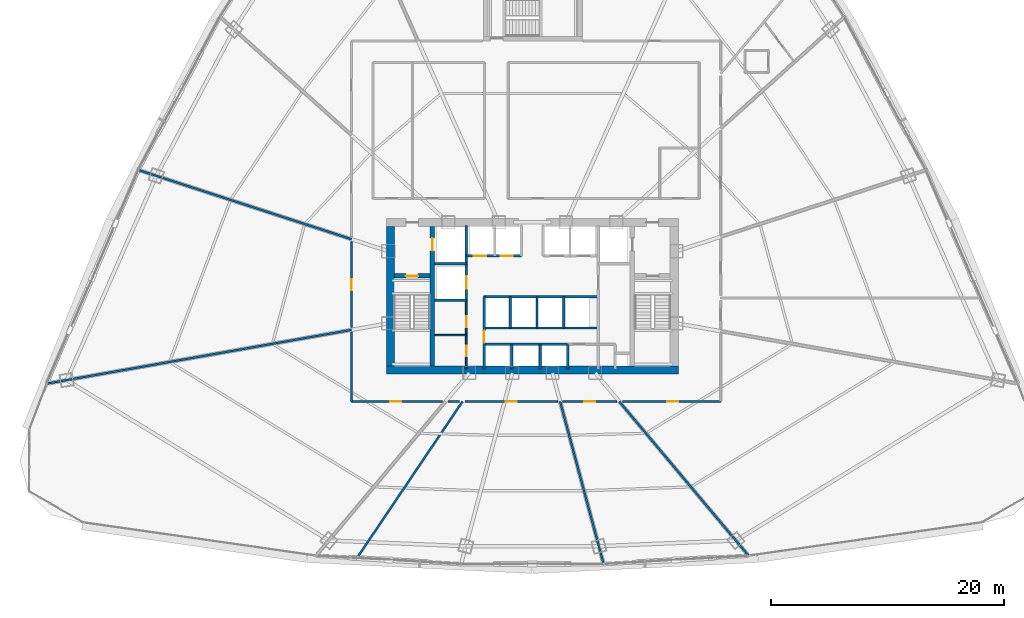
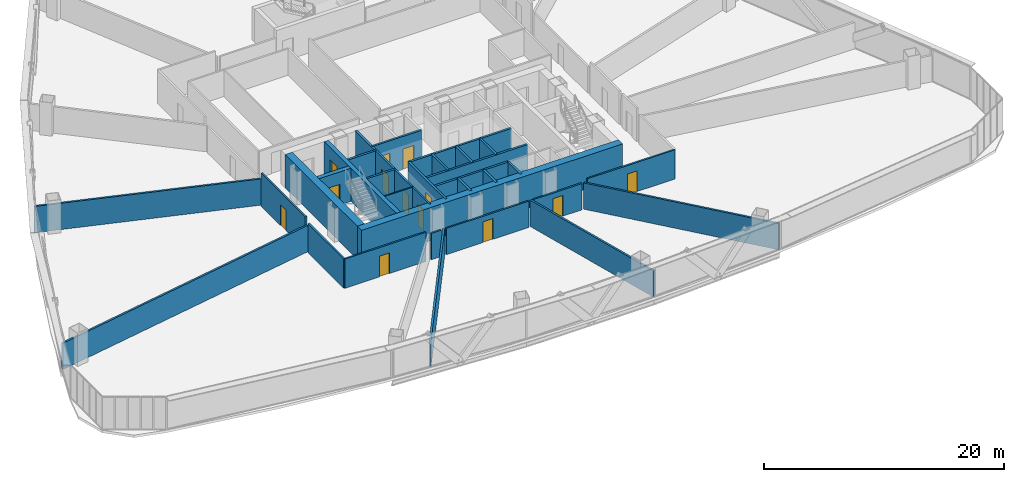
# One storey, part 35 of 42: 32 walls, 13 doors, 13 openings.
"""IFC4 building model written with IfcOpenShell, lengths in metres."""

from ifc_helpers import new_model, si_unit, direction, frame, frame_2d, origin, origin_with_axes, place, context, subcontext, project, spatial, rectangle, extrude, source, transform, mapped, material, layer, layer_set, type_object, element, fill, save


model = new_model("IFC4")

# Units and contexts
model_context = context("Model", 3, precision=1e-05, world=origin(), true_north=direction((0.0, 1.0)))
body_context = subcontext(model_context, "Body", "Model", "MODEL_VIEW")
ifc_project = project(units=[si_unit("LENGTHUNIT", "METRE"), si_unit("AREAUNIT", "SQUARE_METRE"), si_unit("VOLUMEUNIT", "CUBIC_METRE"), si_unit("PLANEANGLEUNIT", "RADIAN"), si_unit("MASSUNIT", "GRAM", prefix="KILO"), si_unit("THERMODYNAMICTEMPERATUREUNIT", "KELVIN"), si_unit("POWERUNIT", "WATT")], contexts=[model_context])

# Site, building, storey
site_placement = place(None, origin())
site = spatial("IfcSite", under=ifc_project, at=site_placement, CompositionType="ELEMENT")
building_placement = place(site_placement, origin())
building = spatial("IfcBuilding", under=site, at=building_placement, Name="Yunzhuo Pagoda Commons", CompositionType="ELEMENT")
storey_placement = place(building_placement, frame((0.0, 0.0, 41.2900390625)))
storey = spatial("IfcBuildingStorey", under=building, at=storey_placement, Name="L10", CompositionType="ELEMENT", Elevation=41.2900390625)

# Walls
ifc_material_1 = material(Name="Concrete C60", Category="concrete")
ifc_layer_1 = layer(ifc_material_1, 0.699951171875)
ifc_layer_set_1 = layer_set([ifc_layer_1], Name="Concrete C60")
wall_type_1 = type_object("IfcWallType", Name="W-C01 Lower Core Shear Wall 700", PredefinedType="SHEAR", material=ifc_layer_set_1)
wall_1_placement = place(storey_placement, frame((35.449951171875, 27.5, 0.0), z_axis=(0.0, 0.0, 1.0), x_axis=(1.0, 0.0, 0.0)))
element("IfcWall", 1, at=wall_1_placement, inside=storey, type_object=wall_type_1, Name="L10 core shear wall S", PredefinedType="SHEAR", context=body_context, shape_type="SweptSolid", body=[
    extrude(rectangle(XDim=25.10009765625, YDim=0.699951171875, at=frame_2d((12.550048828125, 0.0))), origin(), (0.0, 0.0, 1.0), 3.369873046875),
])
wall_2_placement = place(storey_placement, frame((35.800048828125, 27.85009765625, 0.0), z_axis=(0.0, 0.0, 1.0), x_axis=(0.0, 1.0, 0.0)))
element("IfcWall", 2, at=wall_2_placement, inside=storey, type_object=wall_type_1, Name="L10 core shear wall W", PredefinedType="SHEAR", context=body_context, shape_type="SweptSolid", body=[
    extrude(rectangle(XDim=12.0, YDim=0.699951171875, at=frame_2d((6.0, 0.0))), origin(), (0.0, 0.0, 1.0), 3.369873046875),
])

# Wall, openings, doors
ifc_material_2 = material(Name="Gypsum plasterboard on acoustic stud")
ifc_layer_2 = layer(ifc_material_2, 0.159912109375)
ifc_layer_set_2 = layer_set([ifc_layer_2], Name="Gypsum plasterboard on acoustic stud")
wall_type_2 = type_object("IfcWallType", Name="W-COR1 Tower Rated Corridor Wall 160", PredefinedType="PARTITIONING", material=ifc_layer_set_2)
wall_3_placement = place(storey_placement, frame((42.320068359375, 27.60009765625, 0.0), z_axis=(0.0, 0.0, 1.0), x_axis=(0.0, 1.0, 0.0)))
wall_3 = element("IfcWall", 3, at=wall_3_placement, inside=storey, type_object=wall_type_2, Name="L10 interior wall IW-L10-CSWE", PredefinedType="PARTITIONING", context=body_context, shape_type="SweptSolid", body=[
    extrude(rectangle(XDim=5.89990234375, YDim=0.159912109375, at=frame_2d((2.949951171875, 0.0))), origin(), (0.0, 0.0, 1.0), 3.369873046875),
])
opening_1_placement = place(wall_3_placement, frame((1.10009765625, 0.0, 0.0)))
opening_1 = element("IfcOpeningElement", 4, at=opening_1_placement, cuts=wall_3, Name="Opening D-03", PredefinedType="OPENING", context=body_context, shape_type="SweptSolid", body=[
    extrude(rectangle(XDim=0.89990234375, YDim=2.10009765625, at=frame_2d((0.449951171875, 1.050048828125))), frame((0.0, 0.08984375, 0.0), z_axis=(0.0, -1.0, 0.0), x_axis=(1.0, 0.0, 0.0)), (0.0, 0.0, 1.0), 0.179931640625),
])
opening_2_placement = place(wall_3_placement, frame((3.60009765625, 0.0, 0.0)))
opening_2 = element("IfcOpeningElement", 5, at=opening_2_placement, cuts=wall_3, Name="Opening D-11", PredefinedType="OPENING", context=body_context, shape_type="SweptSolid", body=[
    extrude(rectangle(XDim=0.93994140625, YDim=2.10009765625, at=frame_2d((0.469970703125, 1.050048828125))), frame((0.0, 0.08984375, 0.0), z_axis=(0.0, -1.0, 0.0), x_axis=(1.0, 0.0, 0.0)), (0.0, 0.0, 1.0), 0.179931640625),
])
ifc_material_3 = material(Name="Galvanized fire-resisting metal leaf")
door_type_1 = type_object("IfcDoorType", Name="D-03 Core Service Fire Door 900x2100", OperationType="NOTDEFINED", PredefinedType="DOOR", material=ifc_material_3)
shared_shape_1 = source(origin(), body_context, "Body", "SweptSolid", [
    extrude(rectangle(XDim=0.89990234375, YDim=2.10009765625, at=frame_2d((0.449951171875, 1.050048828125))), frame((0.0, 0.02490234375, 0.0), z_axis=(0.0, -1.0, 0.0), x_axis=(1.0, 0.0, 0.0)), (0.0, 0.0, 1.0), 0.050048828125),
])
door_1_placement = place(opening_1_placement, origin_with_axes())
door_1 = element("IfcDoor", 6, at=door_1_placement, inside=storey, type_object=door_type_1, Name="L10 housekeeping door", OperationType="SINGLE_SWING_RIGHT", OverallHeight=2.10009765625, OverallWidth=0.89990234375, PredefinedType="DOOR", context=body_context, shape_type="MappedRepresentation", body=[
    mapped(shared_shape_1, transform((0.0, 0.0, 0.0), scale=1.0)),
])
fill(opening_1, door_1)
door_type_2 = type_object("IfcDoorType", Name="D-11 Accessible Washroom Fire Door 940x2100", OperationType="NOTDEFINED", PredefinedType="DOOR", material=ifc_material_3)
shared_shape_2 = source(origin(), body_context, "Body", "SweptSolid", [
    extrude(rectangle(XDim=0.93994140625, YDim=2.10009765625, at=frame_2d((0.469970703125, 1.050048828125))), frame((0.0, 0.02490234375, 0.0), z_axis=(0.0, -1.0, 0.0), x_axis=(1.0, 0.0, 0.0)), (0.0, 0.0, 1.0), 0.050048828125),
])
door_2_placement = place(opening_2_placement, origin_with_axes())
door_2 = element("IfcDoor", 7, at=door_2_placement, inside=storey, type_object=door_type_2, Name="L10 core WC door", OperationType="SINGLE_SWING_RIGHT", OverallHeight=2.10009765625, OverallWidth=0.93994140625, PredefinedType="DOOR", context=body_context, shape_type="MappedRepresentation", body=[
    mapped(shared_shape_2, transform((0.0, 0.0, 0.0), scale=1.0)),
])
fill(opening_2, door_2)

# Wall
wall_4_placement = place(storey_placement, frame((32.449951171875, 24.800048828125, 0.0), z_axis=(0.0, 0.0, 1.0), x_axis=(0.0, 1.0, 0.0)))
element("IfcWall", 8, at=wall_4_placement, inside=storey, type_object=wall_type_2, Name="L10 interior wall IW-L10-CWL01", PredefinedType="PARTITIONING", context=body_context, shape_type="SweptSolid", body=[
    extrude(rectangle(XDim=5.9345703125, YDim=0.159912109375, at=frame_2d((2.96728515625, 0.0))), origin(), (0.0, 0.0, 1.0), 2.969970703125),
])

# Wall, opening, door
wall_5_placement = place(storey_placement, frame((32.449951171875, 31.177978515625, 0.0), z_axis=(0.0, 0.0, 1.0), x_axis=(0.0, 1.0, 0.0)))
wall_5 = element("IfcWall", 9, at=wall_5_placement, inside=storey, type_object=wall_type_2, Name="L10 interior wall IW-L10-CWL02", PredefinedType="PARTITIONING", context=body_context, shape_type="SweptSolid", body=[
    extrude(rectangle(XDim=7.354736328125, YDim=0.159912109375, at=frame_2d((3.67724609375, 0.0))), origin(), (0.0, 0.0, 1.0), 3.369873046875),
])
opening_3_placement = place(wall_5_placement, frame((3.202392578125, 0.0, 0.0)))
opening_3 = element("IfcOpeningElement", 10, at=opening_3_placement, cuts=wall_5, Name="Opening D-06", PredefinedType="OPENING", context=body_context, shape_type="SweptSolid", body=[
    extrude(rectangle(XDim=0.949951171875, YDim=2.10009765625, at=frame_2d((0.47509765625, 1.050048828125))), frame((0.0, 0.08984375, 0.0), z_axis=(0.0, -1.0, 0.0), x_axis=(1.0, 0.0, 0.0)), (0.0, 0.0, 1.0), 0.179931640625),
])
door_type_3 = type_object("IfcDoorType", Name="D-06 Co-Living Suite Entrance Fire Door 950x2100", OperationType="NOTDEFINED", PredefinedType="DOOR", material=ifc_material_3)
shared_shape_3 = source(origin(), body_context, "Body", "SweptSolid", [
    extrude(rectangle(XDim=0.949951171875, YDim=2.10009765625, at=frame_2d((0.47509765625, 1.050048828125))), frame((0.0, 0.02490234375, 0.0), z_axis=(0.0, -1.0, 0.0), x_axis=(1.0, 0.0, 0.0)), (0.0, 0.0, 1.0), 0.050048828125),
])
door_3_placement = place(opening_3_placement, origin_with_axes())
door_3 = element("IfcDoor", 11, at=door_3_placement, inside=storey, type_object=door_type_3, Name="L10 unit 07 entrance door", OperationType="SINGLE_SWING_RIGHT", OverallHeight=2.10009765625, OverallWidth=0.949951171875, PredefinedType="DOOR", context=body_context, shape_type="MappedRepresentation", body=[
    mapped(shared_shape_3, transform((0.0, 0.0, 0.0), scale=1.0)),
])
fill(opening_3, door_3)

wall_6_placement = place(storey_placement, frame((64.199951171875, 24.800048828125, 0.0), z_axis=(0.0, 0.0, 1.0), x_axis=(-1.0, 0.0, 0.0)))
wall_6 = element("IfcWall", 12, at=wall_6_placement, inside=storey, type_object=wall_type_2, Name="L10 interior wall IW-L10-CWL14", PredefinedType="PARTITIONING", context=body_context, shape_type="SweptSolid", body=[
    extrude(rectangle(XDim=8.44482421875, YDim=0.159912109375, at=frame_2d((4.222412109375, 0.0))), origin(), (0.0, 0.0, 1.0), 2.969970703125),
])
opening_4_placement = place(wall_6_placement, frame((3.660888671875, 0.0, 0.0)))
opening_4 = element("IfcOpeningElement", 13, at=opening_4_placement, cuts=wall_6, Name="Opening D-06", PredefinedType="OPENING", context=body_context, shape_type="SweptSolid", body=[
    extrude(rectangle(XDim=0.949951171875, YDim=2.10009765625, at=frame_2d((0.47509765625, 1.050048828125))), frame((0.0, 0.08984375, 0.0), z_axis=(0.0, -1.0, 0.0), x_axis=(1.0, 0.0, 0.0)), (0.0, 0.0, 1.0), 0.179931640625),
])
door_4_placement = place(opening_4_placement, origin_with_axes())
door_4 = element("IfcDoor", 14, at=door_4_placement, inside=storey, type_object=door_type_3, Name="L10 unit 12 entrance door", OperationType="SINGLE_SWING_LEFT", OverallHeight=2.10009765625, OverallWidth=0.949951171875, PredefinedType="DOOR", context=body_context, shape_type="MappedRepresentation", body=[
    mapped(shared_shape_3, transform((0.0, 0.0, 0.0), scale=1.0)),
])
fill(opening_4, door_4)

wall_7_placement = place(storey_placement, frame((55.248046875, 24.800048828125, 0.0), z_axis=(0.0, 0.0, 1.0), x_axis=(-1.0, 0.0, 0.0)))
wall_7 = element("IfcWall", 15, at=wall_7_placement, inside=storey, type_object=wall_type_2, Name="L10 interior wall IW-L10-CWL15", PredefinedType="PARTITIONING", context=body_context, shape_type="SweptSolid", body=[
    extrude(rectangle(XDim=4.635498046875, YDim=0.159912109375, at=frame_2d((2.31787109375, 0.0))), origin(), (0.0, 0.0, 1.0), 2.669921875),
])
opening_5_placement = place(wall_7_placement, frame((1.8466796875, 0.0, 0.0)))
opening_5 = element("IfcOpeningElement", 16, at=opening_5_placement, cuts=wall_7, Name="Opening D-06", PredefinedType="OPENING", context=body_context, shape_type="SweptSolid", body=[
    extrude(rectangle(XDim=0.949951171875, YDim=2.10009765625, at=frame_2d((0.47509765625, 1.050048828125))), frame((0.0, 0.08984375, 0.0), z_axis=(0.0, -1.0, 0.0), x_axis=(1.0, 0.0, 0.0)), (0.0, 0.0, 1.0), 0.179931640625),
])
door_5_placement = place(opening_5_placement, origin_with_axes())
door_5 = element("IfcDoor", 17, at=door_5_placement, inside=storey, type_object=door_type_3, Name="L10 unit 11 entrance door", OperationType="SINGLE_SWING_RIGHT", OverallHeight=2.10009765625, OverallWidth=0.949951171875, PredefinedType="DOOR", context=body_context, shape_type="MappedRepresentation", body=[
    mapped(shared_shape_3, transform((0.0, 0.0, 0.0), scale=1.0)),
])
fill(opening_5, door_5)

wall_8_placement = place(storey_placement, frame((50.164794921875, 24.800048828125, 0.0), z_axis=(0.0, 0.0, 1.0), x_axis=(-1.0, 0.0, 0.0)))
wall_8 = element("IfcWall", 18, at=wall_8_placement, inside=storey, type_object=wall_type_2, Name="L10 interior wall IW-L10-CWL16", PredefinedType="PARTITIONING", context=body_context, shape_type="SweptSolid", body=[
    extrude(rectangle(XDim=7.947998046875, YDim=0.159912109375, at=frame_2d((3.97412109375, 0.0))), origin(), (0.0, 0.0, 1.0), 2.669921875),
])
opening_6_placement = place(wall_8_placement, frame((3.4990234375, 0.0, 0.0)))
opening_6 = element("IfcOpeningElement", 19, at=opening_6_placement, cuts=wall_8, Name="Opening D-06", PredefinedType="OPENING", context=body_context, shape_type="SweptSolid", body=[
    extrude(rectangle(XDim=0.949951171875, YDim=2.10009765625, at=frame_2d((0.47509765625, 1.050048828125))), frame((0.0, 0.08984375, 0.0), z_axis=(0.0, -1.0, 0.0), x_axis=(1.0, 0.0, 0.0)), (0.0, 0.0, 1.0), 0.179931640625),
])
door_6_placement = place(opening_6_placement, origin_with_axes())
door_6 = element("IfcDoor", 20, at=door_6_placement, inside=storey, type_object=door_type_3, Name="L10 Resident Co-Living Commons Hall door", OperationType="SINGLE_SWING_LEFT", OverallHeight=2.10009765625, OverallWidth=0.949951171875, PredefinedType="DOOR", context=body_context, shape_type="MappedRepresentation", body=[
    mapped(shared_shape_3, transform((0.0, 0.0, 0.0), scale=1.0)),
])
fill(opening_6, door_6)

# Wall
wall_9_placement = place(storey_placement, frame((41.7314453125, 24.800048828125, 0.0), z_axis=(0.0, 0.0, 1.0), x_axis=(-1.0, 0.0, 0.0)))
element("IfcWall", 21, at=wall_9_placement, inside=storey, type_object=wall_type_2, Name="L10 interior wall IW-L10-CWL17", PredefinedType="PARTITIONING", context=body_context, shape_type="SweptSolid", body=[
    extrude(rectangle(XDim=0.9794921875, YDim=0.159912109375, at=frame_2d((0.48974609375, 0.0))), origin(), (0.0, 0.0, 1.0), 2.669921875),
])

# Wall, opening, door
wall_10_placement = place(storey_placement, frame((40.244873046875, 24.800048828125, 0.0), z_axis=(0.0, 0.0, 1.0), x_axis=(-1.0, 0.0, 0.0)))
wall_10 = element("IfcWall", 22, at=wall_10_placement, inside=storey, type_object=wall_type_2, Name="L10 interior wall IW-L10-CWL18", PredefinedType="PARTITIONING", context=body_context, shape_type="SweptSolid", body=[
    extrude(rectangle(XDim=7.794921875, YDim=0.159912109375, at=frame_2d((3.8974609375, 0.0))), origin(), (0.0, 0.0, 1.0), 2.969970703125),
])
opening_7_placement = place(wall_10_placement, frame((3.5087890625, 0.0, 0.0)))
opening_7 = element("IfcOpeningElement", 23, at=opening_7_placement, cuts=wall_10, Name="Opening D-06", PredefinedType="OPENING", context=body_context, shape_type="SweptSolid", body=[
    extrude(rectangle(XDim=0.949951171875, YDim=2.10009765625, at=frame_2d((0.47509765625, 1.050048828125))), frame((0.0, 0.08984375, 0.0), z_axis=(0.0, -1.0, 0.0), x_axis=(1.0, 0.0, 0.0)), (0.0, 0.0, 1.0), 0.179931640625),
])
door_7_placement = place(opening_7_placement, origin_with_axes())
door_7 = element("IfcDoor", 24, at=door_7_placement, inside=storey, type_object=door_type_3, Name="L10 unit 08 entrance door", OperationType="SINGLE_SWING_LEFT", OverallHeight=2.10009765625, OverallWidth=0.949951171875, PredefinedType="DOOR", context=body_context, shape_type="MappedRepresentation", body=[
    mapped(shared_shape_3, transform((0.0, 0.0, 0.0), scale=1.0)),
])
fill(opening_7, door_7)

# Walls
ifc_layer_3 = layer(ifc_material_2, 0.1201171875)
ifc_layer_set_3 = layer_set([ifc_layer_3], Name="Gypsum plasterboard on acoustic stud")
wall_type_3 = type_object("IfcWallType", Name="W-PRT1 Suite & Bathroom Partition 120", PredefinedType="PARTITIONING", material=ifc_layer_set_3)
wall_11_placement = place(storey_placement, frame((39.60009765625, 30.5, 0.0), z_axis=(0.0, 0.0, 1.0), x_axis=(1.0, 0.0, 0.0)))
element("IfcWall", 25, at=wall_11_placement, inside=storey, type_object=wall_type_3, Name="L10 interior wall IW-L10-CB1", PredefinedType="PARTITIONING", context=body_context, shape_type="SweptSolid", body=[
    extrude(rectangle(XDim=2.719970703125, YDim=0.1201171875, at=frame_2d((1.35986328125, 0.0))), origin(), (0.0, 0.0, 1.0), 3.369873046875),
])
ifc_layer_4 = layer(ifc_material_2, 0.179931640625)
ifc_layer_set_4 = layer_set([ifc_layer_4], Name="Gypsum plasterboard on acoustic stud")
wall_type_4 = type_object("IfcWallType", Name="W-PRT2 Acoustic Unit Demising Wall 180", PredefinedType="PARTITIONING", material=ifc_layer_set_4)
wall_12_placement = place(storey_placement, frame((32.449951171875, 38.75244140625, 0.0), z_axis=(0.0, 0.0, 1.0), x_axis=(-0.951055021268, 0.309021595557, 0.0)))
element("IfcWall", 26, at=wall_12_placement, inside=storey, type_object=wall_type_4, Name="L10 interior wall IW-L10-RAD07", PredefinedType="PARTITIONING", context=body_context, shape_type="SweptSolid", body=[
    extrude(rectangle(XDim=19.264404296875, YDim=0.179931640625, at=frame_2d((9.63232421875, 0.0))), origin(), (0.0, 0.0, 1.0), 2.669921875),
])
wall_13_placement = place(storey_placement, frame((32.449951171875, 30.9580078125, 0.0), z_axis=(0.0, 0.0, 1.0), x_axis=(-0.984808390998, -0.173644559431, 0.0)))
element("IfcWall", 27, at=wall_13_placement, inside=storey, type_object=wall_type_4, Name="L10 interior wall IW-L10-RAD08", PredefinedType="PARTITIONING", context=body_context, shape_type="SweptSolid", body=[
    extrude(rectangle(XDim=26.61376953125, YDim=0.179931640625, at=frame_2d((13.306884765625, 0.0))), origin(), (0.0, 0.0, 1.0), 2.669921875),
])
wall_14_placement = place(storey_placement, frame((41.996826171875, 24.800048828125, 0.0), z_axis=(0.0, 0.0, 1.0), x_axis=(-0.559182499599, -0.82904458996, 0.0)))
element("IfcWall", 28, at=wall_14_placement, inside=storey, type_object=wall_type_4, Name="L10 interior wall IW-L10-RAD10", PredefinedType="PARTITIONING", context=body_context, shape_type="SweptSolid", body=[
    extrude(rectangle(XDim=16.248291015625, YDim=0.179931640625, at=frame_2d((8.1240234375, 0.0))), origin(), (0.0, 0.0, 1.0), 2.669921875),
])
wall_15_placement = place(storey_placement, frame((50.384765625, 24.800048828125, 0.0), z_axis=(0.0, 0.0, 1.0), x_axis=(0.258819787056, -0.965925627483, 0.0)))
element("IfcWall", 29, at=wall_15_placement, inside=storey, type_object=wall_type_4, Name="L10 interior wall IW-L10-RAD11", PredefinedType="PARTITIONING", context=body_context, shape_type="SweptSolid", body=[
    extrude(rectangle(XDim=14.482177734375, YDim=0.179931640625, at=frame_2d((7.2412109375, 0.0))), origin(), (0.0, 0.0, 1.0), 2.669921875),
])
wall_16_placement = place(storey_placement, frame((55.468017578125, 24.800048828125, 0.0), z_axis=(0.0, 0.0, 1.0), x_axis=(0.642784696521, -0.766046887546, 0.0)))
element("IfcWall", 30, at=wall_16_placement, inside=storey, type_object=wall_type_4, Name="L10 interior wall IW-L10-RAD12", PredefinedType="PARTITIONING", context=body_context, shape_type="SweptSolid", body=[
    extrude(rectangle(XDim=17.31884765625, YDim=0.179931640625, at=frame_2d((8.659423828125, 0.0))), origin(), (0.0, 0.0, 1.0), 2.669921875),
])

# Wall, opening, door
ifc_layer_5 = layer(ifc_material_1, 0.39990234375)
ifc_layer_set_5 = layer_set([ifc_layer_5], Name="Concrete C60")
wall_type_5 = type_object("IfcWallType", Name="W-S01 Internal Core Shear Web 400", PredefinedType="SHEAR", material=ifc_layer_set_5)
wall_17_placement = place(storey_placement, frame((39.39990234375, 27.85009765625, 0.0), z_axis=(0.0, 0.0, 1.0), x_axis=(0.0, 1.0, 0.0)))
wall_17 = element("IfcWall", 31, at=wall_17_placement, inside=storey, type_object=wall_type_5, Name="L10 core shear wall WEBW", PredefinedType="SHEAR", context=body_context, shape_type="SweptSolid", body=[
    extrude(rectangle(XDim=12.0, YDim=0.39990234375, at=frame_2d((6.0, 0.0))), origin(), (0.0, 0.0, 1.0), 3.369873046875),
])
opening_8_placement = place(wall_17_placement, frame((9.89990234375, 0.0, 0.0)))
opening_8 = element("IfcOpeningElement", 32, at=opening_8_placement, cuts=wall_17, Name="Opening LD-01", PredefinedType="OPENING", context=body_context, shape_type="SweptSolid", body=[
    extrude(rectangle(XDim=1.10009765625, YDim=2.10009765625, at=frame_2d((0.550048828125, 1.050048828125))), frame((0.0, 0.2099609375, 0.0), z_axis=(0.0, -1.0, 0.0), x_axis=(1.0, 0.0, 0.0)), (0.0, 0.0, 1.0), 0.419921875),
])
door_type_4 = type_object("IfcDoorType", Name="LD-01 Firefighting Lift Landing Door 1100x2100", OperationType="DOUBLE_DOOR_SLIDING", PredefinedType="DOOR", material=ifc_material_3)
shared_shape_4 = source(origin(), body_context, "Body", "SweptSolid", [
    extrude(rectangle(XDim=1.10009765625, YDim=2.10009765625, at=frame_2d((0.550048828125, 1.050048828125))), frame((0.0, 0.02490234375, 0.0), z_axis=(0.0, -1.0, 0.0), x_axis=(1.0, 0.0, 0.0)), (0.0, 0.0, 1.0), 0.050048828125),
])
door_8_placement = place(opening_8_placement, frame((1.10009765625, 0.0, 0.0), z_axis=(0.0, 0.0, 1.0), x_axis=(-1.0, 0.0, 0.0)))
door_8 = element("IfcDoor", 33, at=door_8_placement, inside=storey, type_object=door_type_4, Name="L10 Firefighting lift FL-1 landing door", OperationType="DOUBLE_DOOR_SLIDING", OverallHeight=2.10009765625, OverallWidth=1.10009765625, PredefinedType="DOOR", context=body_context, shape_type="MappedRepresentation", body=[
    mapped(shared_shape_4, transform((0.0, 0.0, 0.0), scale=1.0)),
])
fill(opening_8, door_8)

wall_18_placement = place(storey_placement, frame((36.14990234375, 35.60009765625, 0.0), z_axis=(0.0, 0.0, 1.0), x_axis=(1.0, 0.0, 0.0)))
wall_18 = element("IfcWall", 34, at=wall_18_placement, inside=storey, type_object=wall_type_5, Name="L10 core shear wall STW", PredefinedType="SHEAR", context=body_context, shape_type="SweptSolid", body=[
    extrude(rectangle(XDim=3.050048828125, YDim=0.39990234375, at=frame_2d((1.52490234375, 0.0))), origin(), (0.0, 0.0, 1.0), 3.369873046875),
])
opening_9_placement = place(wall_18_placement, frame((0.969970703125, 0.0, 0.0)))
opening_9 = element("IfcOpeningElement", 35, at=opening_9_placement, cuts=wall_18, Name="Opening D-01", PredefinedType="OPENING", context=body_context, shape_type="SweptSolid", body=[
    extrude(rectangle(XDim=1.050048828125, YDim=2.10009765625, at=frame_2d((0.52490234375, 1.050048828125))), frame((0.0, 0.2099609375, 0.0), z_axis=(0.0, -1.0, 0.0), x_axis=(1.0, 0.0, 0.0)), (0.0, 0.0, 1.0), 0.419921875),
])
door_type_5 = type_object("IfcDoorType", Name="D-01 Smokeproof Stair Fire Door 1050x2100", OperationType="NOTDEFINED", PredefinedType="DOOR", material=ifc_material_3)
shared_shape_5 = source(origin(), body_context, "Body", "SweptSolid", [
    extrude(rectangle(XDim=1.050048828125, YDim=2.10009765625, at=frame_2d((0.52490234375, 1.050048828125))), frame((0.0, 0.02490234375, 0.0), z_axis=(0.0, -1.0, 0.0), x_axis=(1.0, 0.0, 0.0)), (0.0, 0.0, 1.0), 0.050048828125),
])
door_9_placement = place(opening_9_placement, frame((1.050048828125, 0.0, 0.0), z_axis=(0.0, 0.0, 1.0), x_axis=(-1.0, 0.0, 0.0)))
door_9 = element("IfcDoor", 36, at=door_9_placement, inside=storey, type_object=door_type_5, Name="L10 Stair ST1 fire door", OperationType="SINGLE_SWING_LEFT", OverallHeight=2.10009765625, OverallWidth=1.050048828125, PredefinedType="DOOR", context=body_context, shape_type="MappedRepresentation", body=[
    mapped(shared_shape_5, transform((0.0, 0.0, 0.0), scale=1.0)),
])
fill(opening_9, door_9)

ifc_material_4 = material(Name="Concrete C40", Category="concrete")
ifc_layer_6 = layer(ifc_material_4, 0.199951171875)
ifc_layer_set_6 = layer_set([ifc_layer_6], Name="Concrete C40")
wall_type_6 = type_object("IfcWallType", Name="W-SHF Shaft & Stair Enclosure Wall 200", PredefinedType="SOLIDWALL", material=ifc_layer_set_6)
wall_19_placement = place(storey_placement, frame((42.320068359375, 33.5, 0.0), z_axis=(0.0, 0.0, 1.0), x_axis=(0.0, 1.0, 0.0)))
wall_19 = element("IfcWall", 37, at=wall_19_placement, inside=storey, type_object=wall_type_6, Name="L10 interior wall IW-L10-FL1E", PredefinedType="SOLIDWALL", context=body_context, shape_type="SweptSolid", body=[
    extrude(rectangle(XDim=6.449951171875, YDim=0.199951171875, at=frame_2d((3.22509765625, 0.0))), origin(), (0.0, 0.0, 1.0), 3.369873046875),
])
opening_10_placement = place(wall_19_placement, frame((1.0, 0.0, 0.0)))
opening_10 = element("IfcOpeningElement", 38, at=opening_10_placement, cuts=wall_19, Name="Opening LD-02", PredefinedType="OPENING", context=body_context, shape_type="SweptSolid", body=[
    extrude(rectangle(XDim=1.050048828125, YDim=2.10009765625, at=frame_2d((0.52490234375, 1.050048828125))), frame((0.0, 0.10986328125, 0.0), z_axis=(0.0, -1.0, 0.0), x_axis=(1.0, 0.0, 0.0)), (0.0, 0.0, 1.0), 0.219970703125),
])
door_type_6 = type_object("IfcDoorType", Name="LD-02 Passenger Lift Landing Door 1050x2100", OperationType="DOUBLE_DOOR_SLIDING", PredefinedType="DOOR", material=ifc_material_3)
door_10_placement = place(opening_10_placement, origin_with_axes())
door_10 = element("IfcDoor", 39, at=door_10_placement, inside=storey, type_object=door_type_6, Name="L10 Service lift SL-1 landing door", OperationType="DOUBLE_DOOR_SLIDING", OverallHeight=2.10009765625, OverallWidth=1.050048828125, PredefinedType="DOOR", context=body_context, shape_type="MappedRepresentation", body=[
    mapped(shared_shape_5, transform((0.0, 0.0, 0.0), scale=1.0)),
])
fill(opening_10, door_10)

# Walls
for number, where, z_axis, x_axis, name in (
    (40, (39.60009765625, 36.64990234375, 0.0), (0.0, 0.0, 1.0), (1.0, 0.0, 0.0), "L10 interior wall IW-L10-FL1S"),
    (41, (39.60009765625, 33.5, 0.0), (0.0, 0.0, 1.0), (1.0, 0.0, 0.0), "L10 interior wall IW-L10-SL1S"),
):
    element("IfcWall", number, at=place(storey_placement, frame(where, z_axis=z_axis, x_axis=x_axis)), inside=storey, type_object=wall_type_6, Name=name, PredefinedType="SOLIDWALL", context=body_context, shape_type="SweptSolid", body=[
        extrude(rectangle(XDim=2.719970703125, YDim=0.199951171875, at=frame_2d((1.35986328125, 0.0))), origin(), (0.0, 0.0, 1.0), 3.369873046875),
    ])

# Wall, openings, doors
wall_20_placement = place(storey_placement, frame((42.320068359375, 37.320068359375, 0.0), z_axis=(0.0, 0.0, 1.0), x_axis=(1.0, 0.0, 0.0)))
wall_20 = element("IfcWall", 42, at=wall_20_placement, inside=storey, type_object=wall_type_6, Name="L10 interior wall IW-L10-LBNW", PredefinedType="SOLIDWALL", context=body_context, shape_type="SweptSolid", body=[
    extrude(rectangle(XDim=4.72998046875, YDim=0.199951171875, at=frame_2d((2.364990234375, 0.0))), origin(), (0.0, 0.0, 1.0), 3.369873046875),
])
opening_11_placement = place(wall_20_placement, frame((0.64990234375, 0.0, 0.0)))
opening_11 = element("IfcOpeningElement", 43, at=opening_11_placement, cuts=wall_20, Name="Opening LD-02", PredefinedType="OPENING", context=body_context, shape_type="SweptSolid", body=[
    extrude(rectangle(XDim=1.050048828125, YDim=2.10009765625, at=frame_2d((0.52490234375, 1.050048828125))), frame((0.0, 0.10986328125, 0.0), z_axis=(0.0, -1.0, 0.0), x_axis=(1.0, 0.0, 0.0)), (0.0, 0.0, 1.0), 0.219970703125),
])
opening_12_placement = place(wall_20_placement, frame((2.949951171875, 0.0, 0.0)))
opening_12 = element("IfcOpeningElement", 44, at=opening_12_placement, cuts=wall_20, Name="Opening LD-02", PredefinedType="OPENING", context=body_context, shape_type="SweptSolid", body=[
    extrude(rectangle(XDim=1.050048828125, YDim=2.10009765625, at=frame_2d((0.52490234375, 1.050048828125))), frame((0.0, 0.10986328125, 0.0), z_axis=(0.0, -1.0, 0.0), x_axis=(1.0, 0.0, 0.0)), (0.0, 0.0, 1.0), 0.219970703125),
])
door_11_placement = place(opening_11_placement, frame((1.050048828125, 0.0, 0.0), z_axis=(0.0, 0.0, 1.0), x_axis=(-1.0, 0.0, 0.0)))
door_11 = element("IfcDoor", 45, at=door_11_placement, inside=storey, type_object=door_type_6, Name="L10 Passenger lift PL-L1 landing door", OperationType="DOUBLE_DOOR_SLIDING", OverallHeight=2.10009765625, OverallWidth=1.050048828125, PredefinedType="DOOR", context=body_context, shape_type="MappedRepresentation", body=[
    mapped(shared_shape_5, transform((0.0, 0.0, 0.0), scale=1.0)),
])
fill(opening_11, door_11)
door_12_placement = place(opening_12_placement, frame((1.050048828125, 0.0, 0.0), z_axis=(0.0, 0.0, 1.0), x_axis=(-1.0, 0.0, 0.0)))
door_12 = element("IfcDoor", 46, at=door_12_placement, inside=storey, type_object=door_type_6, Name="L10 Passenger lift PL-L2 landing door", OperationType="DOUBLE_DOOR_SLIDING", OverallHeight=2.10009765625, OverallWidth=1.050048828125, PredefinedType="DOOR", context=body_context, shape_type="MappedRepresentation", body=[
    mapped(shared_shape_5, transform((0.0, 0.0, 0.0), scale=1.0)),
])
fill(opening_12, door_12)

# Wall
wall_21_placement = place(storey_placement, frame((43.85009765625, 33.820068359375, 0.0), z_axis=(0.0, 0.0, 1.0), x_axis=(1.0, 0.0, 0.0)))
element("IfcWall", 47, at=wall_21_placement, inside=storey, type_object=wall_type_6, Name="L10 interior wall IW-L10-MLBS", PredefinedType="SOLIDWALL", context=body_context, shape_type="SweptSolid", body=[
    extrude(rectangle(XDim=9.829833984375, YDim=0.199951171875, at=frame_2d((4.9150390625, 0.0))), origin(), (0.0, 0.0, 1.0), 3.369873046875),
])

# Wall, opening, door
wall_22_placement = place(storey_placement, frame((43.85009765625, 27.60009765625, 0.0), z_axis=(0.0, 0.0, 1.0), x_axis=(0.0, 1.0, 0.0)))
wall_22 = element("IfcWall", 48, at=wall_22_placement, inside=storey, type_object=wall_type_6, Name="L10 interior wall IW-L10-PLMW", PredefinedType="SOLIDWALL", context=body_context, shape_type="SweptSolid", body=[
    extrude(rectangle(XDim=6.219970703125, YDim=0.199951171875, at=frame_2d((3.10986328125, 0.0))), origin(), (0.0, 0.0, 1.0), 3.369873046875),
])
opening_13_placement = place(wall_22_placement, frame((2.25, 0.0, 0.0)))
opening_13 = element("IfcOpeningElement", 49, at=opening_13_placement, cuts=wall_22, Name="Opening D-02", PredefinedType="OPENING", context=body_context, shape_type="SweptSolid", body=[
    extrude(rectangle(XDim=1.050048828125, YDim=2.10009765625, at=frame_2d((0.52490234375, 1.050048828125))), frame((0.0, 0.10986328125, 0.0), z_axis=(0.0, -1.0, 0.0), x_axis=(1.0, 0.0, 0.0)), (0.0, 0.0, 1.0), 0.219970703125),
])
door_type_7 = type_object("IfcDoorType", Name="D-02 Firefighting Lobby & Refuge Fire Door 1050x2100", OperationType="NOTDEFINED", PredefinedType="DOOR", material=ifc_material_3)
door_13_placement = place(opening_13_placement, frame((1.050048828125, 0.0, 0.0), z_axis=(0.0, 0.0, 1.0), x_axis=(-1.0, 0.0, 0.0)))
door_13 = element("IfcDoor", 50, at=door_13_placement, inside=storey, type_object=door_type_7, Name="L10 High-bank hall west door", OperationType="SINGLE_SWING_LEFT", OverallHeight=2.10009765625, OverallWidth=1.050048828125, PredefinedType="DOOR", context=body_context, shape_type="MappedRepresentation", body=[
    mapped(shared_shape_5, transform((0.0, 0.0, 0.0), scale=1.0)),
])
fill(opening_13, door_13)

# Walls
for number, where, z_axis, x_axis, name in (
    (51, (46.10009765625, 31.1201171875, 0.0), (0.0, 0.0, 1.0), (0.0, 1.0, 0.0), "L10 interior wall IW-L10-PLMD1"),
    (52, (48.39990234375, 31.1201171875, 0.0), (0.0, 0.0, 1.0), (0.0, 1.0, 0.0), "L10 interior wall IW-L10-PLMD2"),
    (53, (50.699951171875, 31.1201171875, 0.0), (0.0, 0.0, 1.0), (0.0, 1.0, 0.0), "L10 interior wall IW-L10-PLMD3"),
):
    element("IfcWall", number, at=place(storey_placement, frame(where, z_axis=z_axis, x_axis=x_axis)), inside=storey, type_object=wall_type_6, Name=name, PredefinedType="SOLIDWALL", context=body_context, shape_type="SweptSolid", body=[
        extrude(rectangle(XDim=2.699951171875, YDim=0.199951171875, at=frame_2d((1.35009765625, 0.0))), origin(), (0.0, 0.0, 1.0), 3.369873046875),
    ])
wall_23_placement = place(storey_placement, frame((43.85009765625, 29.719970703125, 0.0), z_axis=(0.0, 0.0, 1.0), x_axis=(1.0, 0.0, 0.0)))
element("IfcWall", 54, at=wall_23_placement, inside=storey, type_object=wall_type_6, Name="L10 interior wall IW-L10-PLHN", PredefinedType="SOLIDWALL", context=body_context, shape_type="SweptSolid", body=[
    extrude(rectangle(XDim=7.199951171875, YDim=0.199951171875, at=frame_2d((3.60009765625, 0.0))), origin(), (0.0, 0.0, 1.0), 3.369873046875),
])
wall_24_placement = place(storey_placement, frame((51.050048828125, 27.60009765625, 0.0), z_axis=(0.0, 0.0, 1.0), x_axis=(0.0, 1.0, 0.0)))
element("IfcWall", 55, at=wall_24_placement, inside=storey, type_object=wall_type_6, Name="L10 interior wall IW-L10-PLHE", PredefinedType="SOLIDWALL", context=body_context, shape_type="SweptSolid", body=[
    extrude(rectangle(XDim=2.119873046875, YDim=0.199951171875, at=frame_2d((1.06005859375, 0.0))), origin(), (0.0, 0.0, 1.0), 3.369873046875),
])
wall_25_placement = place(storey_placement, frame((43.85009765625, 31.1201171875, 0.0), z_axis=(0.0, 0.0, 1.0), x_axis=(1.0, 0.0, 0.0)))
element("IfcWall", 56, at=wall_25_placement, inside=storey, type_object=wall_type_6, Name="L10 interior wall IW-L10-PLMS2", PredefinedType="SOLIDWALL", context=body_context, shape_type="SweptSolid", body=[
    extrude(rectangle(XDim=9.829833984375, YDim=0.199951171875, at=frame_2d((4.9150390625, 0.0))), origin(), (0.0, 0.0, 1.0), 3.369873046875),
])
for number, where, z_axis, x_axis, name in (
    (57, (46.22509765625, 27.60009765625, 0.0), (0.0, 0.0, 1.0), (0.0, 1.0, 0.0), "L10 interior wall IW-L10-PLHD1"),
    (58, (48.675048828125, 27.60009765625, 0.0), (0.0, 0.0, 1.0), (0.0, 1.0, 0.0), "L10 interior wall IW-L10-PLHD2"),
):
    element("IfcWall", number, at=place(storey_placement, frame(where, z_axis=z_axis, x_axis=x_axis)), inside=storey, type_object=wall_type_6, Name=name, PredefinedType="SOLIDWALL", context=body_context, shape_type="SweptSolid", body=[
        extrude(rectangle(XDim=2.119873046875, YDim=0.199951171875, at=frame_2d((1.06005859375, 0.0))), origin(), (0.0, 0.0, 1.0), 3.369873046875),
    ])

save(model, "model.ifc")
